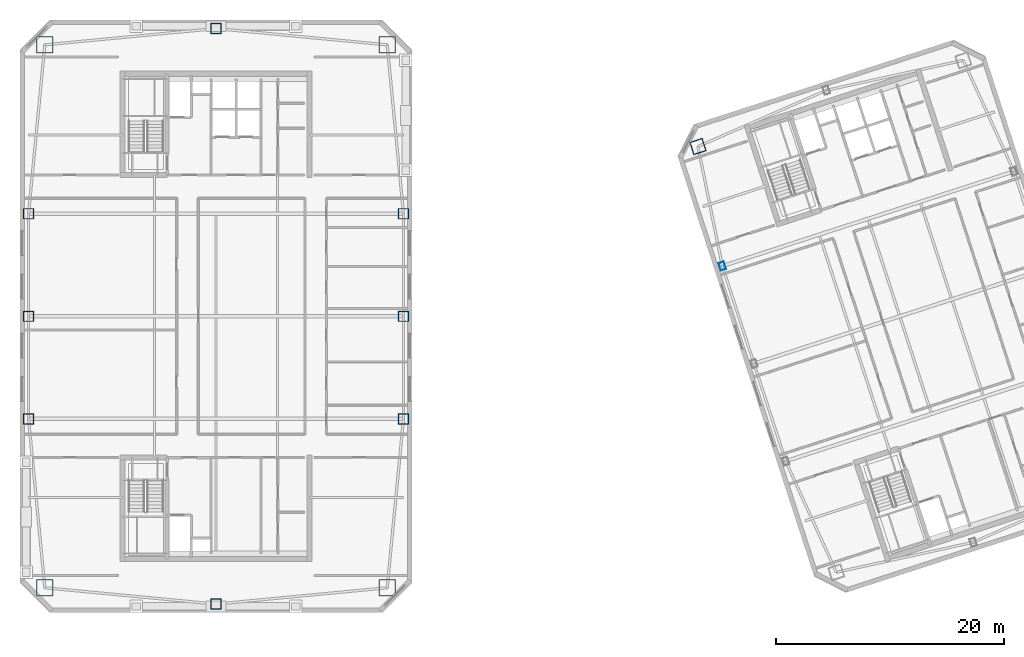
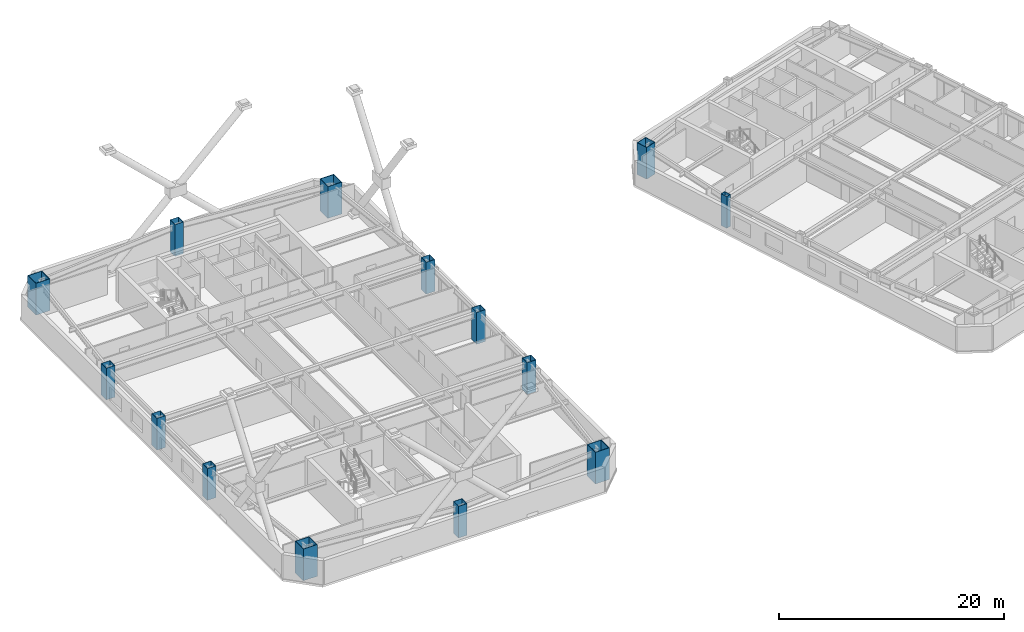
# One storey, part 1 of 25: 14 columns.
"""IFC4 building model written with IfcOpenShell, lengths in metres."""

from ifc_helpers import new_model, si_unit, direction, frame, origin, origin_2d, place, context, subcontext, project, spatial, hollow_rectangle, extrude, material, material_profile, profile_set, type_object, element, save


model = new_model("IFC4")

# Units and contexts
model_context = context("Model", 3, precision=1e-05, world=origin(), true_north=direction((0.0, 1.0)))
body_context = subcontext(model_context, "Body", "Model", "MODEL_VIEW")
ifc_project = project(units=[si_unit("LENGTHUNIT", "METRE"), si_unit("AREAUNIT", "SQUARE_METRE"), si_unit("VOLUMEUNIT", "CUBIC_METRE"), si_unit("PLANEANGLEUNIT", "RADIAN"), si_unit("MASSUNIT", "GRAM", prefix="KILO")], contexts=[model_context])

# Site, building, storey
site_placement = place(None, origin())
site = spatial("IfcSite", under=ifc_project, at=site_placement, CompositionType="ELEMENT")
building_placement = place(site_placement, origin())
building = spatial("IfcBuilding", under=site, at=building_placement, Name="Qiaolan Cultural Towers", CompositionType="ELEMENT")
storey_placement = place(building_placement, frame((0.0, 0.0, 202.39990234375)))
storey = spatial("IfcBuildingStorey", under=building, at=storey_placement, Name="L54", CompositionType="ELEMENT", Elevation=202.39990234375)

# Columns
ifc_material_1 = material(Name="Steel Q390GJB", Category="steel")
ifc_material_profile_1 = material_profile(ifc_material_1, hollow_rectangle(XDim=1.14990234375, YDim=1.14990234375, WallThickness=0.0400390625, at=origin_2d()), Name="BOX1150x1150x40")
ifc_profile_set_1 = profile_set([ifc_material_profile_1], Name="Steel Q390GJB")
column_type_1 = type_object("IfcColumnType", Name="COL-BOX1150x1150x40", PredefinedType="COLUMN", material=ifc_profile_set_1)
column_1_placement = place(storey_placement, frame((72.2900390625, 48.896484375, 0.0), z_axis=(0.0, 0.0, 1.0), x_axis=(0.951056516295, 0.309016994375, 0.0)))
element("IfcColumn", 1, at=column_1_placement, inside=storey, type_object=column_type_1, Name="L54 T2 Perimeter Column MC-NW", PredefinedType="COLUMN", context=body_context, shape_type="SweptSolid", body=[
    extrude(hollow_rectangle(XDim=1.14990234375, YDim=1.14990234375, WallThickness=0.0400390625, at=origin_2d()), origin(), (0.0, 0.0, 1.0), 3.451171875),
])
ifc_material_2 = material(Name="Steel Q420GJB", Category="steel")
ifc_material_profile_2 = material_profile(ifc_material_2, hollow_rectangle(XDim=1.449951171875, YDim=1.449951171875, WallThickness=0.050048828125, at=origin_2d()), Name="BOX1450x1450x50")
ifc_profile_set_2 = profile_set([ifc_material_profile_2], Name="Steel Q420GJB")
column_type_2 = type_object("IfcColumnType", Name="COL-BOX1450x1450x50", PredefinedType="COLUMN", material=ifc_profile_set_2)
for number, where, z_axis, x_axis, name in (
    (2, (14.97998046875, 10.179931640625, 0.0), (0.0, 0.0, 1.0), (1.0, 0.0, 0.0), "L54 T1 Perimeter Column MC-SW"),
    (3, (45.02001953125, 10.179931640625, 0.0), (0.0, 0.0, 1.0), (1.0, 0.0, 0.0), "L54 T1 Perimeter Column MC-SE"),
    (4, (45.02001953125, 57.820068359375, 0.0), (0.0, 0.0, 1.0), (1.0, 0.0, 0.0), "L54 T1 Perimeter Column MC-NE"),
    (5, (14.97998046875, 57.820068359375, 0.0), (0.0, 0.0, 1.0), (1.0, 0.0, 0.0), "L54 T1 Perimeter Column MC-NW"),
):
    element("IfcColumn", number, at=place(storey_placement, frame(where, z_axis=z_axis, x_axis=x_axis)), inside=storey, type_object=column_type_2, Name=name, PredefinedType="COLUMN", context=body_context, shape_type="SweptSolid", body=[
        extrude(hollow_rectangle(XDim=1.449951171875, YDim=1.449951171875, WallThickness=0.050048828125, at=origin_2d()), origin(), (0.0, 0.0, 1.0), 3.451171875),
    ])
ifc_material_3 = material(Name="Steel Q355B", Category="steel")
ifc_material_profile_3 = material_profile(ifc_material_3, hollow_rectangle(XDim=0.5, YDim=0.699951171875, WallThickness=0.02490234375, at=origin_2d()), Name="BOX700x500x25")
ifc_profile_set_3 = profile_set([ifc_material_profile_3], Name="Steel Q355B")
column_type_3 = type_object("IfcColumnType", Name="COL-BOX700x500x25", PredefinedType="COLUMN", material=ifc_profile_set_3)
column_2_placement = place(storey_placement, frame((74.42724609375, 38.4033203125, 0.0), z_axis=(0.0, 0.0, 1.0), x_axis=(0.951056516295, 0.309016994375, 0.0)))
element("IfcColumn", 6, at=column_2_placement, inside=storey, type_object=column_type_3, Name="L54 T2 Perimeter Column PC-W3", PredefinedType="COLUMN", context=body_context, shape_type="SweptSolid", body=[
    extrude(hollow_rectangle(XDim=0.5, YDim=0.699951171875, WallThickness=0.02490234375, at=origin_2d()), origin(), (0.0, 0.0, 1.0), 3.451171875),
])
ifc_material_4 = material(Name="Steel Q355B", Category="steel")
ifc_material_profile_4 = material_profile(ifc_material_4, hollow_rectangle(XDim=0.89990234375, YDim=0.89990234375, WallThickness=0.031982421875, at=origin_2d()), Name="BOX900x900x32")
ifc_profile_set_4 = profile_set([ifc_material_profile_4], Name="Steel Q355B")
column_type_4 = type_object("IfcColumnType", Name="COL-BOX900x900x32", PredefinedType="COLUMN", material=ifc_profile_set_4)
for number, where, z_axis, x_axis, name in (
    (7, (13.550048828125, 25.0, 0.0), (0.0, 0.0, 1.0), (1.0, 0.0, 0.0), "L54 T1 Perimeter Column PC-W1"),
    (8, (13.550048828125, 34.0, 0.0), (0.0, 0.0, 1.0), (1.0, 0.0, 0.0), "L54 T1 Perimeter Column PC-W2"),
    (9, (13.550048828125, 43.0, 0.0), (0.0, 0.0, 1.0), (1.0, 0.0, 0.0), "L54 T1 Perimeter Column PC-W3"),
    (10, (46.449951171875, 25.0, 0.0), (0.0, 0.0, 1.0), (1.0, 0.0, 0.0), "L54 T1 Perimeter Column PC-E1"),
    (11, (46.449951171875, 34.0, 0.0), (0.0, 0.0, 1.0), (1.0, 0.0, 0.0), "L54 T1 Perimeter Column PC-E2"),
    (12, (46.449951171875, 43.0, 0.0), (0.0, 0.0, 1.0), (1.0, 0.0, 0.0), "L54 T1 Perimeter Column PC-E3"),
    (13, (30.0, 8.75, 0.0), (0.0, 0.0, 1.0), (1.0, 0.0, 0.0), "L54 T1 Perimeter Column PC-S0"),
    (14, (30.0, 59.25, 0.0), (0.0, 0.0, 1.0), (1.0, 0.0, 0.0), "L54 T1 Perimeter Column PC-N0"),
):
    element("IfcColumn", number, at=place(storey_placement, frame(where, z_axis=z_axis, x_axis=x_axis)), inside=storey, type_object=column_type_4, Name=name, PredefinedType="COLUMN", context=body_context, shape_type="SweptSolid", body=[
        extrude(hollow_rectangle(XDim=0.89990234375, YDim=0.89990234375, WallThickness=0.031982421875, at=origin_2d()), origin(), (0.0, 0.0, 1.0), 3.451171875),
    ])

save(model, "model.ifc")
